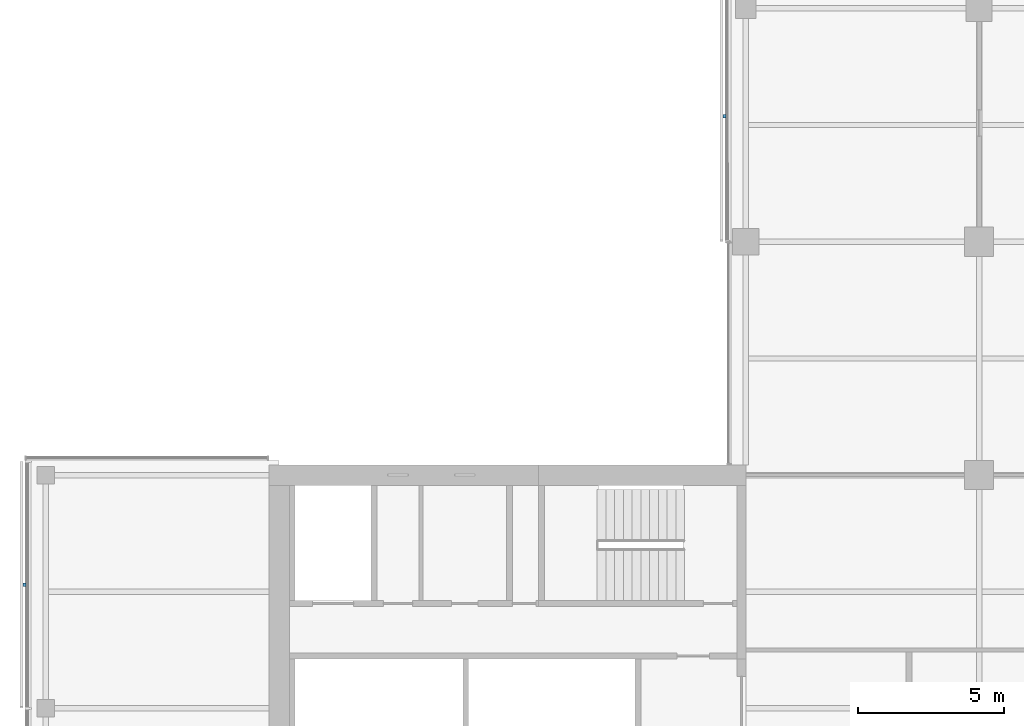
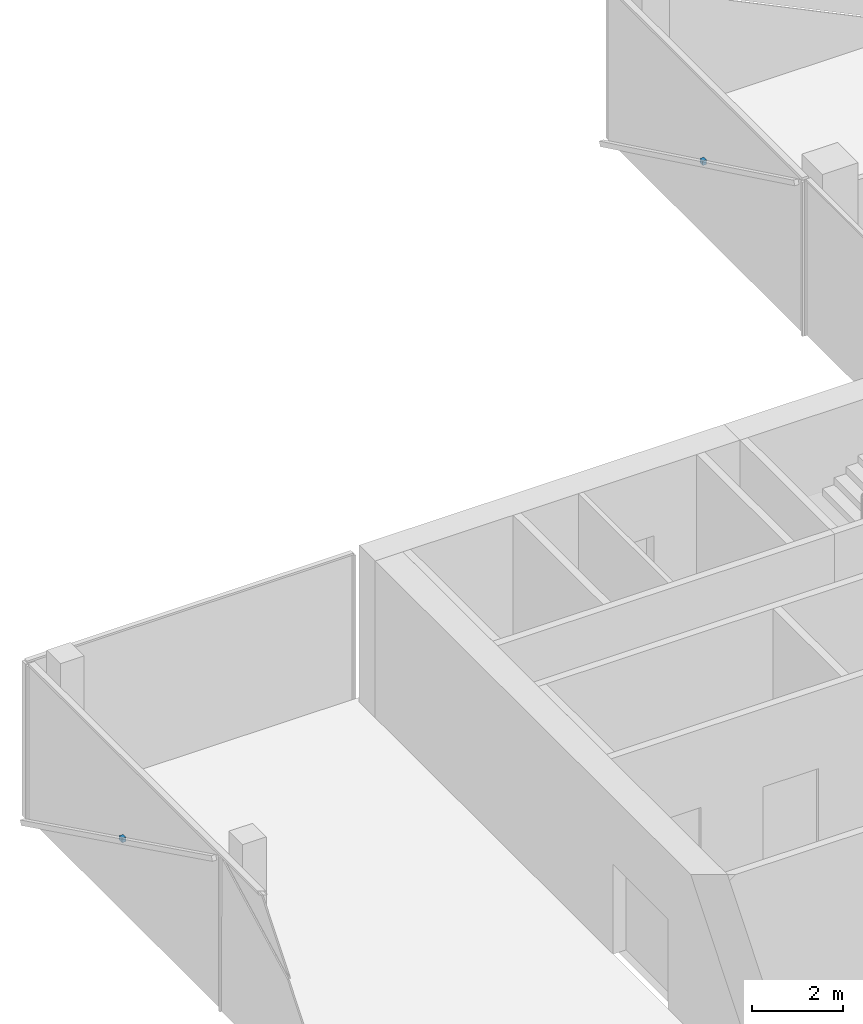
# One storey, part 19 of 22: 2 discrete accessories.
"""IFC4 building model written with IfcOpenShell, lengths in metres."""

from ifc_helpers import new_model, si_unit, direction, frame, origin, origin_2d, place, context, subcontext, project, spatial, rectangle, extrude, material, type_object, element, save


model = new_model("IFC4")

# Units and contexts
model_context = context("Model", 3, precision=1e-05, world=origin(), true_north=direction((0.0, 1.0)))
body_context = subcontext(model_context, "Body", "Model", "MODEL_VIEW")
ifc_project = project(units=[si_unit("LENGTHUNIT", "METRE"), si_unit("AREAUNIT", "SQUARE_METRE"), si_unit("VOLUMEUNIT", "CUBIC_METRE"), si_unit("PLANEANGLEUNIT", "RADIAN"), si_unit("MASSUNIT", "GRAM", prefix="KILO")], contexts=[model_context])

# Site, building, storey
site_placement = place(None, origin())
site = spatial("IfcSite", under=ifc_project, at=site_placement, CompositionType="ELEMENT")
building_placement = place(site_placement, origin())
building = spatial("IfcBuilding", under=site, at=building_placement, Name="Crosswind Convention Tower", CompositionType="ELEMENT")
storey_placement = place(building_placement, frame((0.0, 0.0, 129.5)))
storey = spatial("IfcBuildingStorey", under=building, at=storey_placement, Name="L26", CompositionType="ELEMENT", Elevation=129.5)

# Discrete accessories
ifc_material = material(Name="Stainless steel", Category="steel")
discrete_accessory_type = type_object("IfcDiscreteAccessoryType", Name="BAGUETTE BRACKET BK3", PredefinedType="BRACKET", material=ifc_material)
for number, where, z_axis, x_axis, name in (
    (1, (112.27392578125, 124.304931640625, 1.704833984375), (0.0, 0.0, 1.0), (0.0, -1.0, 0.0), "BK3 baguette bracket"),
    (2, (88.27392578125, 108.232421875, 1.704833984375), (0.0, 0.0, 1.0), (0.0, -1.0, 0.0), "BK3 baguette bracket"),
):
    element("IfcDiscreteAccessory", number, at=place(storey_placement, frame(where, z_axis=z_axis, x_axis=x_axis)), inside=storey, type_object=discrete_accessory_type, Name=name, PredefinedType="BRACKET", context=body_context, shape_type="SweptSolid", body=[
        extrude(rectangle(XDim=0.1201171875, YDim=0.10009765625, at=origin_2d()), origin(), (0.0, 0.0, 1.0), 0.1201171875),
    ])

save(model, "model.ifc")
